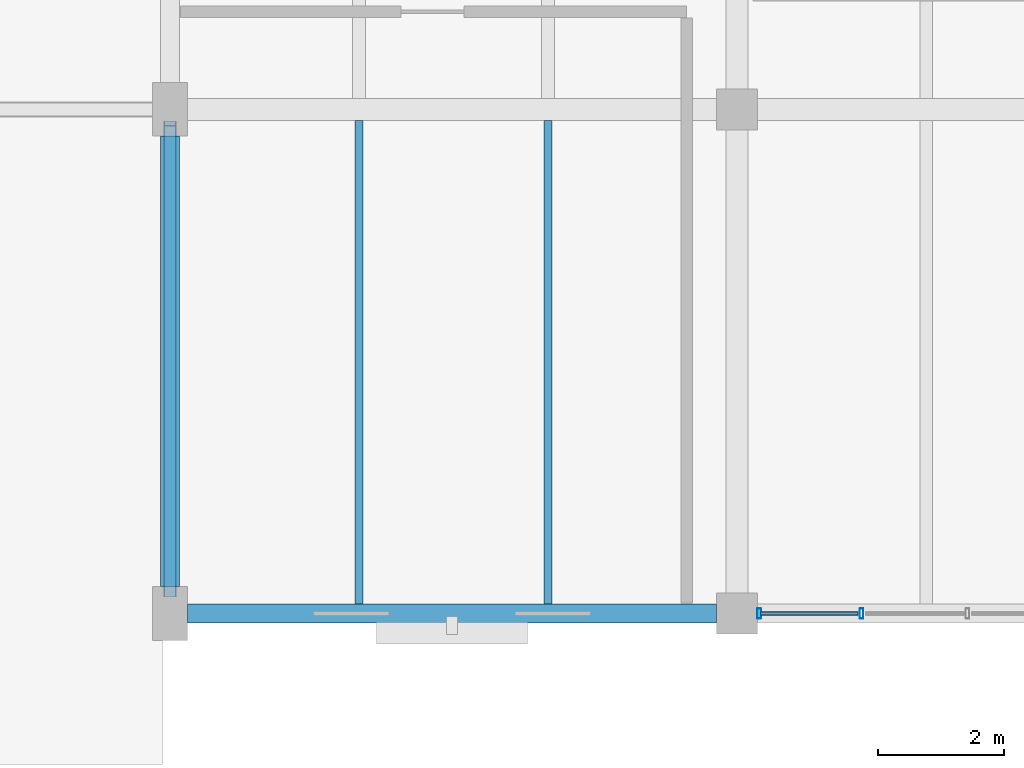
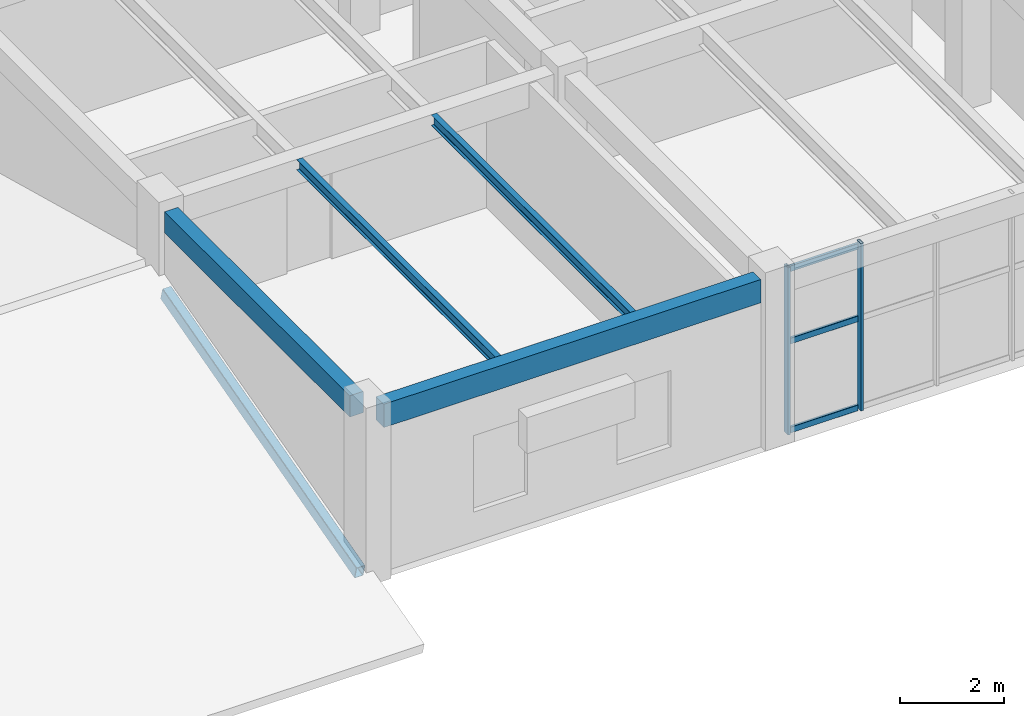
# One storey, part 14 of 71: 6 members, 4 beams, 1 element without a shape of its own.
"""IFC4 building model written with IfcOpenShell, lengths in metres."""

from ifc_helpers import new_model, si_unit, derived_unit, direction, frame, origin, origin_2d, place, context, subcontext, project, spatial, rectangle, hollow_rectangle, i_section, extrude, material, material_profile, profile_set, type_object, element, aggregate, save


model = new_model("IFC4")

# Units and contexts
model_context = context("Model", 3, precision=1e-05, world=origin(), true_north=direction((0.0, 1.0)))
body_context = subcontext(model_context, "Body", "Model", "MODEL_VIEW")
ifc_project = project(units=[si_unit("LENGTHUNIT", "METRE"), si_unit("AREAUNIT", "SQUARE_METRE"), si_unit("VOLUMEUNIT", "CUBIC_METRE"), si_unit("PLANEANGLEUNIT", "RADIAN"), si_unit("MASSUNIT", "GRAM", prefix="KILO"), derived_unit("THERMALTRANSMITTANCEUNIT", [(si_unit("MASSUNIT", "GRAM", prefix="KILO"), 1), (si_unit("TIMEUNIT", "SECOND"), -3), (si_unit("THERMODYNAMICTEMPERATUREUNIT", "KELVIN"), -1)])], contexts=[model_context])

# Site, building, storey
site_placement = place(None, origin())
site = spatial("IfcSite", under=ifc_project, at=site_placement, CompositionType="ELEMENT")
building_placement = place(site_placement, origin())
building = spatial("IfcBuilding", under=site, at=building_placement, Name="Zhenchuan Archway Interchange", CompositionType="ELEMENT")
storey_placement = place(building_placement, frame((0.0, 0.0, 18.60009765625)))
storey = spatial("IfcBuildingStorey", under=building, at=storey_placement, Name="L04", CompositionType="ELEMENT", Elevation=18.60009765625)

# Curtain wall, members
ifc_material_1 = material(Name="Anodised Aluminium", Category="aluminium")
curtain_wall_type = type_object("IfcCurtainWallType", Name="CW_UNIT_1", PredefinedType="NOTDEFINED", material=ifc_material_1)
curtain_wall_placement = place(storey_placement, origin())
curtain_wall = element("IfcCurtainWall", 1, at=curtain_wall_placement, inside=storey, type_object=curtain_wall_type, Name="Unitised curtain wall CW:L04:188", PredefinedType="NOTDEFINED")
ifc_material_profile_1 = material_profile(ifc_material_1, hollow_rectangle(XDim=0.06005859375, YDim=0.159912109375, WallThickness=0.00390625, InnerFilletRadius=0.00390625, OuterFilletRadius=0.008056640625, at=origin_2d()), Name="ALU 160x60x4")
ifc_profile_set_1 = profile_set([ifc_material_profile_1], Name="Anodised Aluminium")
member_type_1 = type_object("IfcMemberType", Name="CW_MUL_150", PredefinedType="MULLION", material=ifc_profile_set_1)
member_1_placement = place(storey_placement, frame((154.975830078125, 8.0, 0.0), z_axis=(0.0, 0.0, 1.0), x_axis=(1.0, 0.0, 0.0)))
member_1 = element("IfcMember", 2, at=member_1_placement, type_object=member_type_1, Name="CW:L04:188 mullion 4", PredefinedType="MULLION", context=body_context, shape_type="SweptSolid", body=[
    extrude(hollow_rectangle(XDim=0.06005859375, YDim=0.159912109375, WallThickness=0.00390625, InnerFilletRadius=0.00390625, OuterFilletRadius=0.008056640625, at=origin_2d()), origin(), (0.0, 0.0, 1.0), 3.93994140625),
])
member_2_placement = place(storey_placement, frame((153.35302734375, 8.0, 0.0), z_axis=(0.0, 0.0, 1.0), x_axis=(1.0, 0.0, 0.0)))
member_2 = element("IfcMember", 3, at=member_2_placement, type_object=member_type_1, Name="CW:L04:188 mullion 5", PredefinedType="MULLION", context=body_context, shape_type="SweptSolid", body=[
    extrude(hollow_rectangle(XDim=0.06005859375, YDim=0.159912109375, WallThickness=0.00390625, InnerFilletRadius=0.00390625, OuterFilletRadius=0.008056640625, at=origin_2d()), origin(), (0.0, 0.0, 1.0), 3.93994140625),
])
ifc_material_profile_2 = material_profile(ifc_material_1, hollow_rectangle(XDim=0.06005859375, YDim=0.139892578125, WallThickness=0.00341796875, InnerFilletRadius=0.00341796875, OuterFilletRadius=0.007080078125, at=origin_2d()), Name="ALU 140x60x3.5")
ifc_profile_set_2 = profile_set([ifc_material_profile_2], Name="Anodised Aluminium")
member_type_2 = type_object("IfcMemberType", Name="CW_TRN_140", PredefinedType="USERDEFINED", material=ifc_profile_set_2)
member_3_placement = place(storey_placement, frame((154.915771484375, 8.0, 0.059814453125), z_axis=(-1.0, 0.0, 0.0), x_axis=(0.0, -1.0, 0.0)))
member_3 = element("IfcMember", 4, at=member_3_placement, type_object=member_type_2, Name="CW:L04:188 transom 4-1", ObjectType="TRANSOM", PredefinedType="USERDEFINED", context=body_context, shape_type="SweptSolid", body=[
    extrude(hollow_rectangle(XDim=0.06005859375, YDim=0.139892578125, WallThickness=0.00341796875, InnerFilletRadius=0.00341796875, OuterFilletRadius=0.007080078125, at=origin_2d()), origin(), (0.0, 0.0, 1.0), 1.542724609375),
])
member_4_placement = place(storey_placement, frame((154.915771484375, 8.0, 2.156005859375), z_axis=(-1.0, 0.0, 0.0), x_axis=(0.0, -1.0, 0.0)))
member_4 = element("IfcMember", 5, at=member_4_placement, type_object=member_type_2, Name="CW:L04:188 transom 4-2", ObjectType="TRANSOM", PredefinedType="USERDEFINED", context=body_context, shape_type="SweptSolid", body=[
    extrude(hollow_rectangle(XDim=0.06005859375, YDim=0.139892578125, WallThickness=0.00341796875, InnerFilletRadius=0.00341796875, OuterFilletRadius=0.007080078125, at=origin_2d()), origin(), (0.0, 0.0, 1.0), 1.542724609375),
])
member_5_placement = place(storey_placement, frame((154.915771484375, 8.0, 3.85986328125), z_axis=(-1.0, 0.0, 0.0), x_axis=(0.0, -1.0, 0.0)))
member_5 = element("IfcMember", 6, at=member_5_placement, type_object=member_type_2, Name="CW:L04:188 transom 4-3", ObjectType="TRANSOM", PredefinedType="USERDEFINED", context=body_context, shape_type="SweptSolid", body=[
    extrude(hollow_rectangle(XDim=0.06005859375, YDim=0.139892578125, WallThickness=0.00341796875, InnerFilletRadius=0.00341796875, OuterFilletRadius=0.007080078125, at=origin_2d()), origin(), (0.0, 0.0, 1.0), 1.542724609375),
])
aggregate(curtain_wall, [member_1, member_2, member_3, member_4, member_5])

# Beams
ifc_material_2 = material(Name="Steel Q355", Category="steel")
ifc_material_profile_3 = material_profile(ifc_material_2, i_section(OverallWidth=0.125, OverallDepth=0.25, WebThickness=0.006103515625, FlangeThickness=0.009033203125, FilletRadius=0.011962890625, at=origin_2d()), Name="HN 250x125")
ifc_profile_set_3 = profile_set([ifc_material_profile_3], Name="Steel Q355")
beam_type_1 = type_object("IfcBeamType", Name="JST_STL_HN250", PredefinedType="JOIST", material=ifc_profile_set_3)
for number, where, z_axis, x_axis, name in (
    (7, (147.0, 8.14990234375, 3.81494140625), (0.0, 1.0, 0.0), (-1.0, 0.0, 0.0), "Secondary joist 17-18/B-C #1 (L04)"),
    (8, (150.0, 8.14990234375, 3.81494140625), (0.0, 1.0, 0.0), (-1.0, 0.0, 0.0), "Secondary joist 17-18/B-C #2 (L04)"),
):
    element("IfcBeam", number, at=place(storey_placement, frame(where, z_axis=z_axis, x_axis=x_axis)), inside=storey, type_object=beam_type_1, Name=name, PredefinedType="JOIST", context=body_context, shape_type="SweptSolid", body=[
        extrude(i_section(OverallWidth=0.125, OverallDepth=0.25, WebThickness=0.006103515625, FlangeThickness=0.009033203125, FilletRadius=0.011962890625, at=origin_2d()), origin(), (0.0, 0.0, 1.0), 7.675048828125),
    ])

# Member
ifc_material_profile_4 = material_profile(ifc_material_2, hollow_rectangle(XDim=0.199951171875, YDim=0.300048828125, WallThickness=0.010009765625, InnerFilletRadius=0.010009765625, OuterFilletRadius=0.02001953125, at=origin_2d()), Name="RHS 300x200x10")
ifc_profile_set_4 = profile_set([ifc_material_profile_4], Name="Steel Q355")
member_type_3 = type_object("IfcMemberType", Name="MB_RHS300", PredefinedType="CHORD", material=ifc_profile_set_4)
member_6_placement = place(storey_placement, frame((144.0, 8.300048828125, -0.18017578125), z_axis=(0.0, 0.964762367881, 0.263122734709), x_axis=(-1.0, 0.0, 0.0)))
element("IfcMember", 9, at=member_6_placement, inside=storey, type_object=member_type_3, Name="Courtyard S-arm rafter X144-1", PredefinedType="CHORD", context=body_context, shape_type="SweptSolid", body=[
    extrude(hollow_rectangle(XDim=0.199951171875, YDim=0.300048828125, WallThickness=0.010009765625, InnerFilletRadius=0.010009765625, OuterFilletRadius=0.02001953125, at=origin_2d()), origin(), (0.0, 0.0, 1.0), 7.753173828125),
])

# Beams
ifc_material_3 = material(Name="Concrete C40", Category="concrete")
ifc_material_profile_5 = material_profile(ifc_material_3, rectangle(XDim=0.300048828125, YDim=0.5, at=origin_2d()), Name="RC 300x500")
ifc_profile_set_5 = profile_set([ifc_material_profile_5], Name="Concrete C40")
beam_type_2 = type_object("IfcBeamType", Name="SP_RC_300x500", PredefinedType="SPANDREL", material=ifc_profile_set_5)
beam_1_placement = place(storey_placement, frame((144.0, 8.425048828125, 3.68994140625), z_axis=(0.0, 1.0, 0.0), x_axis=(-1.0, 0.0, 0.0)))
element("IfcBeam", 10, at=beam_1_placement, inside=storey, type_object=beam_type_2, Name="Beam 17:B-C (L04)", PredefinedType="SPANDREL", context=body_context, shape_type="SweptSolid", body=[
    extrude(rectangle(XDim=0.300048828125, YDim=0.5, at=origin_2d()), origin(), (0.0, 0.0, 1.0), 7.14990234375),
])
ifc_material_profile_6 = material_profile(ifc_material_3, rectangle(XDim=0.300048828125, YDim=0.550048828125, at=origin_2d()), Name="RC 300x550")
ifc_profile_set_6 = profile_set([ifc_material_profile_6], Name="Concrete C40")
beam_type_3 = type_object("IfcBeamType", Name="SP_RC_300x550", PredefinedType="SPANDREL", material=ifc_profile_set_6)
beam_2_placement = place(storey_placement, frame((144.27490234375, 8.0, 3.664794921875), z_axis=(1.0, 0.0, 0.0), x_axis=(0.0, 1.0, 0.0)))
element("IfcBeam", 11, at=beam_2_placement, inside=storey, type_object=beam_type_3, Name="Beam B:17-18 (L04)", PredefinedType="SPANDREL", context=body_context, shape_type="SweptSolid", body=[
    extrude(rectangle(XDim=0.300048828125, YDim=0.550048828125, at=origin_2d()), origin(), (0.0, 0.0, 1.0), 8.400146484375),
])

save(model, "model.ifc")
